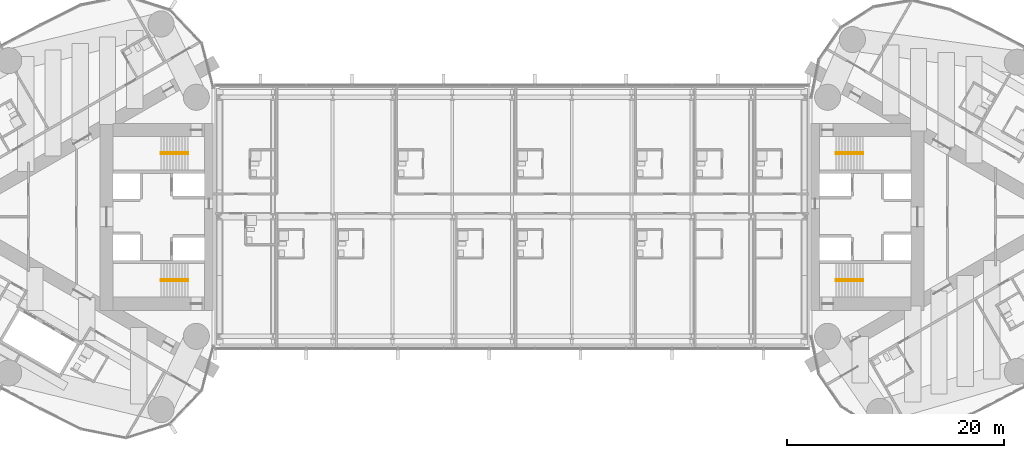
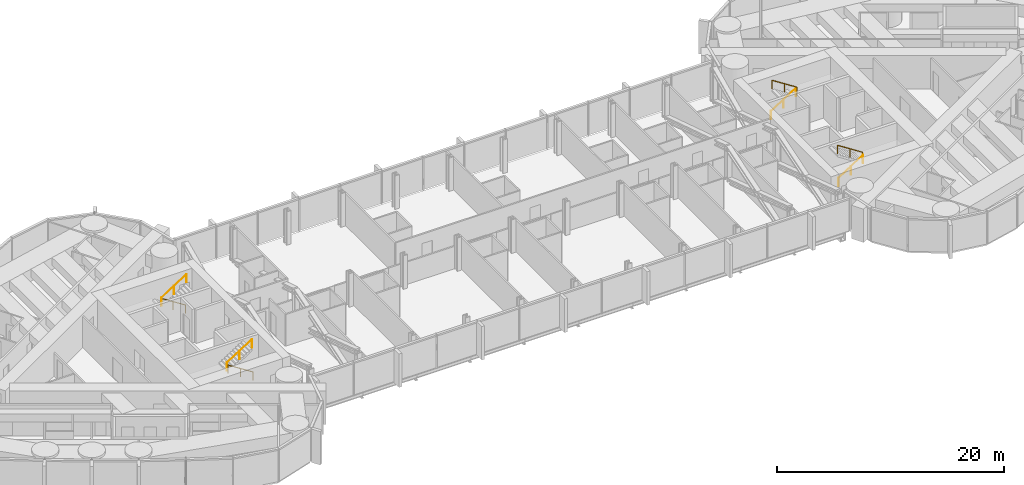
# One storey, part 23 of 24: 8 railings.
"""IFC4 building model written with IfcOpenShell, lengths in metres."""

from ifc_helpers import new_model, si_unit, direction, frame, origin, origin_2d, place, context, subcontext, project, spatial, circle, extrude, material, type_object, element, save


model = new_model("IFC4")

# Units and contexts
model_context = context("Model", 3, precision=1e-05, world=origin(), true_north=direction((0.0, 1.0)))
body_context = subcontext(model_context, "Body", "Model", "MODEL_VIEW")
ifc_project = project(units=[si_unit("LENGTHUNIT", "METRE"), si_unit("AREAUNIT", "SQUARE_METRE"), si_unit("VOLUMEUNIT", "CUBIC_METRE"), si_unit("PLANEANGLEUNIT", "RADIAN"), si_unit("MASSUNIT", "GRAM", prefix="KILO")], contexts=[model_context])

# Site, building, storey
site_placement = place(None, origin())
site = spatial("IfcSite", under=ifc_project, at=site_placement, CompositionType="ELEMENT")
building_placement = place(site_placement, origin())
building = spatial("IfcBuilding", under=site, at=building_placement, Name="Lancet Gate Hotel", CompositionType="ELEMENT")
storey_placement = place(building_placement, frame((0.0, 0.0, 244.10009765625)))
storey = spatial("IfcBuildingStorey", under=building, at=storey_placement, Name="L65", CompositionType="ELEMENT", Elevation=244.10009765625)

# Railings
ifc_material = material(Name="Stainless steel handrail", Category="steel")
railing_type = type_object("IfcRailingType", Name="Stair handrail 900", PredefinedType="HANDRAIL", material=ifc_material)
railing_1_placement = place(storey_placement, frame((-29.800048828125, 5.929931640625, 0.179931640625)))
element("IfcRailing", 1, at=railing_1_placement, inside=storey, type_object=railing_type, Name="ST1 handrail flight 1 L65", PredefinedType="HANDRAIL", context=body_context, shape_type="SweptSolid", body=[
    extrude(circle(Radius=0.02392578125, at=origin_2d()), frame((0.0, 0.0, 0.8759765625), z_axis=(-0.841199657755, 0.0, 0.540724639528), x_axis=(0.0, -1.0, 0.0)), (0.0, 0.0, 1.0), 2.995849609375),
    extrude(circle(Radius=0.02099609375, at=origin_2d()), origin(), (0.0, 0.0, 1.0), 0.851806640625),
    extrude(circle(Radius=0.02099609375, at=origin_2d()), frame((-1.260009765625, 0.0, 0.81005859375)), (0.0, 0.0, 1.0), 0.851806640625),
    extrude(circle(Radius=0.02099609375, at=origin_2d()), frame((-2.52001953125, 0.0, 1.619873046875)), (0.0, 0.0, 1.0), 0.851806640625),
])
railing_2_placement = place(storey_placement, frame((-32.320068359375, 5.77001953125, 1.97998046875)))
element("IfcRailing", 2, at=railing_2_placement, inside=storey, type_object=railing_type, Name="ST1 handrail flight 2 L65", PredefinedType="HANDRAIL", context=body_context, shape_type="SweptSolid", body=[
    extrude(circle(Radius=0.02392578125, at=origin_2d()), frame((0.0, 0.0, 0.8759765625), z_axis=(0.841199657755, 0.0, 0.540724639528), x_axis=(0.0, 1.0, 0.0)), (0.0, 0.0, 1.0), 2.995849609375),
    extrude(circle(Radius=0.02099609375, at=origin_2d()), origin(), (0.0, 0.0, 1.0), 0.851806640625),
    extrude(circle(Radius=0.02099609375, at=origin_2d()), frame((1.260009765625, 0.0, 0.81005859375)), (0.0, 0.0, 1.0), 0.851806640625),
    extrude(circle(Radius=0.02099609375, at=origin_2d()), frame((2.52001953125, 0.0, 1.619873046875)), (0.0, 0.0, 1.0), 0.851806640625),
])
railing_3_placement = place(storey_placement, frame((-29.800048828125, -5.929931640625, 0.179931640625)))
element("IfcRailing", 3, at=railing_3_placement, inside=storey, type_object=railing_type, Name="ST2 handrail flight 1 L65", PredefinedType="HANDRAIL", context=body_context, shape_type="SweptSolid", body=[
    extrude(circle(Radius=0.02392578125, at=origin_2d()), frame((0.0, 0.0, 0.8759765625), z_axis=(-0.841199657755, 0.0, 0.540724639528), x_axis=(0.0, -1.0, 0.0)), (0.0, 0.0, 1.0), 2.995849609375),
    extrude(circle(Radius=0.02099609375, at=origin_2d()), origin(), (0.0, 0.0, 1.0), 0.851806640625),
    extrude(circle(Radius=0.02099609375, at=origin_2d()), frame((-1.260009765625, 0.0, 0.81005859375)), (0.0, 0.0, 1.0), 0.851806640625),
    extrude(circle(Radius=0.02099609375, at=origin_2d()), frame((-2.52001953125, 0.0, 1.619873046875)), (0.0, 0.0, 1.0), 0.851806640625),
])
for number, where, name in (
    (4, (-32.320068359375, -5.77001953125, 1.97998046875), "ST2 handrail flight 2 L65"),
    (5, (29.800048828125, -5.929931640625, 0.179931640625), "ST3 handrail flight 1 L65"),
):
    element("IfcRailing", number, at=place(storey_placement, frame(where)), inside=storey, type_object=railing_type, Name=name, PredefinedType="HANDRAIL", context=body_context, shape_type="SweptSolid", body=[
        extrude(circle(Radius=0.02392578125, at=origin_2d()), frame((0.0, 0.0, 0.8759765625), z_axis=(0.841199657755, 0.0, 0.540724639528), x_axis=(0.0, 1.0, 0.0)), (0.0, 0.0, 1.0), 2.995849609375),
        extrude(circle(Radius=0.02099609375, at=origin_2d()), origin(), (0.0, 0.0, 1.0), 0.851806640625),
        extrude(circle(Radius=0.02099609375, at=origin_2d()), frame((1.260009765625, 0.0, 0.81005859375)), (0.0, 0.0, 1.0), 0.851806640625),
        extrude(circle(Radius=0.02099609375, at=origin_2d()), frame((2.52001953125, 0.0, 1.619873046875)), (0.0, 0.0, 1.0), 0.851806640625),
    ])
railing_4_placement = place(storey_placement, frame((32.320068359375, -5.77001953125, 1.97998046875)))
element("IfcRailing", 6, at=railing_4_placement, inside=storey, type_object=railing_type, Name="ST3 handrail flight 2 L65", PredefinedType="HANDRAIL", context=body_context, shape_type="SweptSolid", body=[
    extrude(circle(Radius=0.02392578125, at=origin_2d()), frame((0.0, 0.0, 0.8759765625), z_axis=(-0.841199657755, 0.0, 0.540724639528), x_axis=(0.0, -1.0, 0.0)), (0.0, 0.0, 1.0), 2.995849609375),
    extrude(circle(Radius=0.02099609375, at=origin_2d()), origin(), (0.0, 0.0, 1.0), 0.851806640625),
    extrude(circle(Radius=0.02099609375, at=origin_2d()), frame((-1.260009765625, 0.0, 0.81005859375)), (0.0, 0.0, 1.0), 0.851806640625),
    extrude(circle(Radius=0.02099609375, at=origin_2d()), frame((-2.52001953125, 0.0, 1.619873046875)), (0.0, 0.0, 1.0), 0.851806640625),
])
railing_5_placement = place(storey_placement, frame((29.800048828125, 5.929931640625, 0.179931640625)))
element("IfcRailing", 7, at=railing_5_placement, inside=storey, type_object=railing_type, Name="ST4 handrail flight 1 L65", PredefinedType="HANDRAIL", context=body_context, shape_type="SweptSolid", body=[
    extrude(circle(Radius=0.02392578125, at=origin_2d()), frame((0.0, 0.0, 0.8759765625), z_axis=(0.841199657755, 0.0, 0.540724639528), x_axis=(0.0, 1.0, 0.0)), (0.0, 0.0, 1.0), 2.995849609375),
    extrude(circle(Radius=0.02099609375, at=origin_2d()), origin(), (0.0, 0.0, 1.0), 0.851806640625),
    extrude(circle(Radius=0.02099609375, at=origin_2d()), frame((1.260009765625, 0.0, 0.81005859375)), (0.0, 0.0, 1.0), 0.851806640625),
    extrude(circle(Radius=0.02099609375, at=origin_2d()), frame((2.52001953125, 0.0, 1.619873046875)), (0.0, 0.0, 1.0), 0.851806640625),
])
railing_6_placement = place(storey_placement, frame((32.320068359375, 5.77001953125, 1.97998046875)))
element("IfcRailing", 8, at=railing_6_placement, inside=storey, type_object=railing_type, Name="ST4 handrail flight 2 L65", PredefinedType="HANDRAIL", context=body_context, shape_type="SweptSolid", body=[
    extrude(circle(Radius=0.02392578125, at=origin_2d()), frame((0.0, 0.0, 0.8759765625), z_axis=(-0.841199657755, 0.0, 0.540724639528), x_axis=(0.0, -1.0, 0.0)), (0.0, 0.0, 1.0), 2.995849609375),
    extrude(circle(Radius=0.02099609375, at=origin_2d()), origin(), (0.0, 0.0, 1.0), 0.851806640625),
    extrude(circle(Radius=0.02099609375, at=origin_2d()), frame((-1.260009765625, 0.0, 0.81005859375)), (0.0, 0.0, 1.0), 0.851806640625),
    extrude(circle(Radius=0.02099609375, at=origin_2d()), frame((-2.52001953125, 0.0, 1.619873046875)), (0.0, 0.0, 1.0), 0.851806640625),
])

save(model, "model.ifc")
